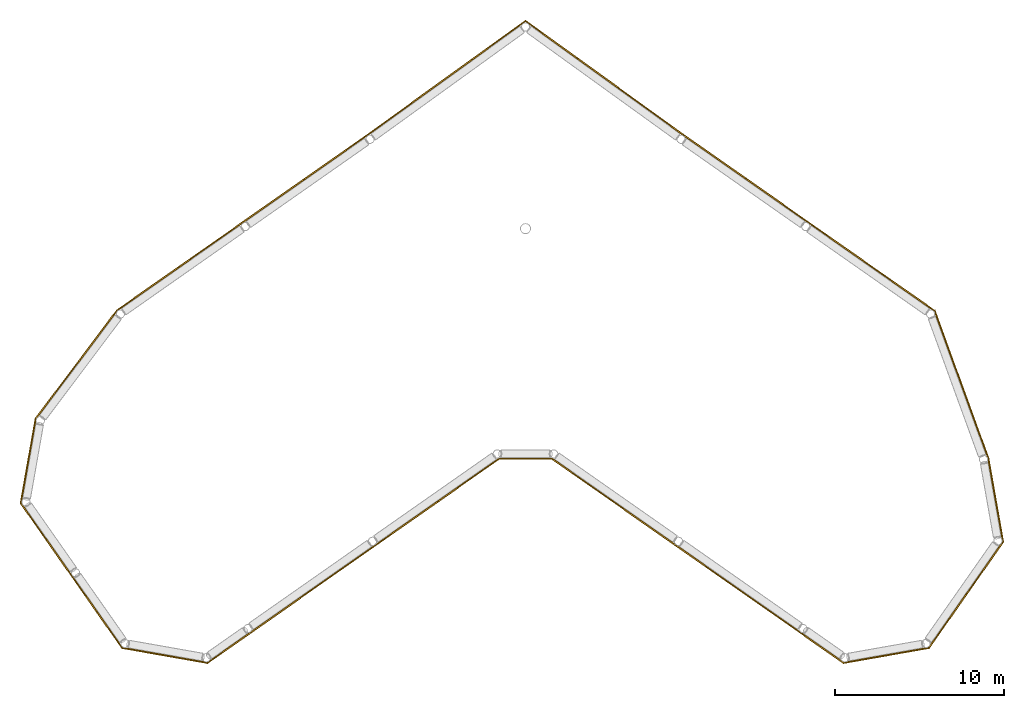
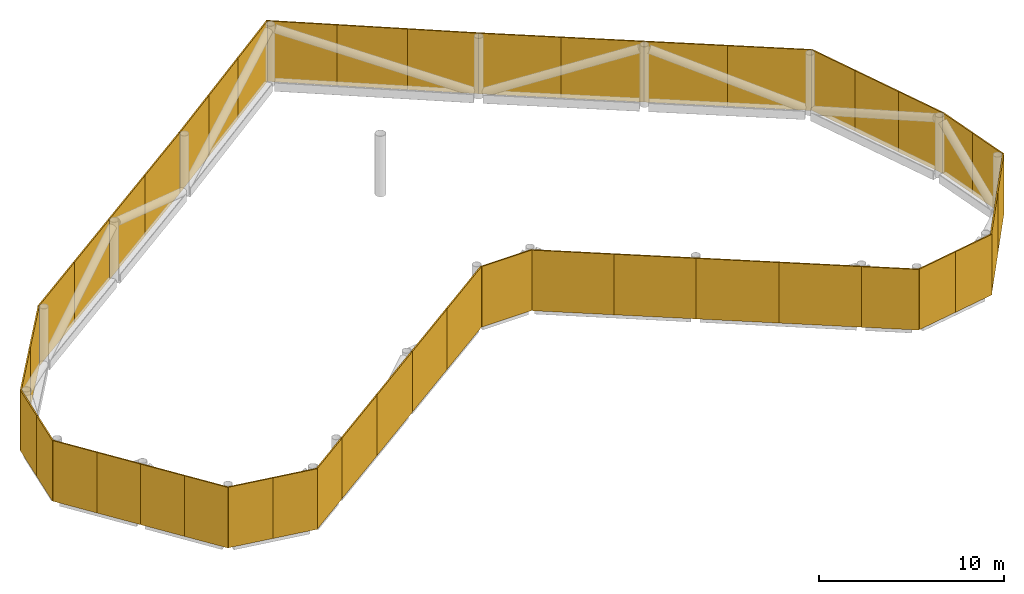
# One storey, part 4 of 4: 44 coverings.
"""IFC4 building model written with IfcOpenShell, lengths in metres."""

from ifc_helpers import new_model, si_unit, direction, frame, origin, origin_2d, place, context, subcontext, project, spatial, rectangle, extrude, material, layer, layer_set, type_object, element, save


model = new_model("IFC4")

# Units and contexts
model_context = context("Model", 3, precision=1e-05, world=origin(), true_north=direction((0.0, 1.0)))
body_context = subcontext(model_context, "Body", "Model", "MODEL_VIEW")
ifc_project = project(units=[si_unit("LENGTHUNIT", "METRE"), si_unit("AREAUNIT", "SQUARE_METRE"), si_unit("VOLUMEUNIT", "CUBIC_METRE"), si_unit("PLANEANGLEUNIT", "RADIAN"), si_unit("MASSUNIT", "GRAM", prefix="KILO")], contexts=[model_context])

# Site, building, storey
site_placement = place(None, origin())
site = spatial("IfcSite", under=ifc_project, at=site_placement, CompositionType="ELEMENT")
building_placement = place(site_placement, origin())
building = spatial("IfcBuilding", under=site, at=building_placement, Name="Tel Ilan Convention Tower", CompositionType="ELEMENT")
storey_placement = place(building_placement, frame((0.0, 0.0, 326.800048828125)))
storey = spatial("IfcBuildingStorey", under=building, at=storey_placement, Name="L77", CompositionType="ELEMENT", Elevation=326.800048828125)

# Coverings
ifc_material = material(Name="Perforated aluminium sheet, bronze anodised", Category="aluminium")
ifc_layer = layer(ifc_material, 0.080078125)
ifc_layer_set = layer_set([ifc_layer], Name="CROWN SCREEN CLADDING 80")
covering_type = type_object("IfcCoveringType", Name="CROWN SCREEN CLADDING 80", PredefinedType="CLADDING", material=ifc_layer_set)
covering_1_placement = place(storey_placement, frame((-17.488525390625, -24.74658203125, 0.0), z_axis=(0.0, 0.0, 1.0), x_axis=(0.819059611512, 0.573708421404, 0.0)))
element("IfcCovering", 1, at=covering_1_placement, inside=storey, type_object=covering_type, Name="Crown screen", PredefinedType="CLADDING", context=body_context, shape_type="SweptSolid", body=[
    extrude(rectangle(XDim=3.119873046875, YDim=0.080078125, at=origin_2d()), origin(), (0.0, 0.0, 1.0), 4.0),
])
for number, where, z_axis, x_axis, name in (
    (2, (-14.367919921875, -22.56103515625, 0.0), (0.0, 0.0, 1.0), (0.819148388269, 0.573581657653, 0.0), "Crown screen"),
    (3, (-10.681884765625, -19.980224609375, 0.0), (0.0, 0.0, 1.0), (0.819148388269, 0.573581657653, 0.0), "Crown screen"),
):
    element("IfcCovering", number, at=place(storey_placement, frame(where, z_axis=z_axis, x_axis=x_axis)), inside=storey, type_object=covering_type, Name=name, PredefinedType="CLADDING", context=body_context, shape_type="SweptSolid", body=[
        extrude(rectangle(XDim=4.499755859375, YDim=0.080078125, at=origin_2d()), origin(), (0.0, 0.0, 1.0), 4.0),
    ])
for number, where, z_axis, x_axis, name in (
    (4, (-7.014404296875, -17.412109375, 0.0), (0.0, 0.0, 1.0), (0.819184940043, 0.573529453477, 0.0), "Crown screen"),
    (5, (-3.365234375, -14.857421875, 0.0), (0.0, 0.0, 1.0), (0.819184940043, 0.573529453477, 0.0), "Crown screen"),
):
    element("IfcCovering", number, at=place(storey_placement, frame(where, z_axis=z_axis, x_axis=x_axis)), inside=storey, type_object=covering_type, Name=name, PredefinedType="CLADDING", context=body_context, shape_type="SweptSolid", body=[
        extrude(rectangle(XDim=4.45458984375, YDim=0.080078125, at=origin_2d()), origin(), (0.0, 0.0, 1.0), 4.0),
    ])
covering_2_placement = place(storey_placement, frame((0.0400390625, -13.60302734375, 0.0), z_axis=(0.0, 0.0, 1.0), x_axis=(1.0, 0.0, 0.0)))
element("IfcCovering", 6, at=covering_2_placement, inside=storey, type_object=covering_type, Name="Crown screen", PredefinedType="CLADDING", context=body_context, shape_type="SweptSolid", body=[
    extrude(rectangle(XDim=3.147216796875, YDim=0.080078125, at=origin_2d()), origin(), (0.0, 0.0, 1.0), 4.0),
])
for number, where, z_axis, x_axis, name in (
    (7, (3.430908203125, -14.9033203125, 0.0), (0.0, 0.0, 1.0), (0.819184940043, -0.573529453477, 0.0), "Crown screen"),
    (8, (7.079833984375, -17.4580078125, 0.0), (0.0, 0.0, 1.0), (0.819184940043, -0.573529453477, 0.0), "Crown screen"),
):
    element("IfcCovering", number, at=place(storey_placement, frame(where, z_axis=z_axis, x_axis=x_axis)), inside=storey, type_object=covering_type, Name=name, PredefinedType="CLADDING", context=body_context, shape_type="SweptSolid", body=[
        extrude(rectangle(XDim=4.45458984375, YDim=0.080078125, at=origin_2d()), origin(), (0.0, 0.0, 1.0), 4.0),
    ])
for number, where, z_axis, x_axis, name in (
    (9, (10.747314453125, -20.02587890625, 0.0), (0.0, 0.0, 1.0), (0.819148388269, -0.573581657653, 0.0), "Crown screen"),
    (10, (14.433349609375, -22.60693359375, 0.0), (0.0, 0.0, 1.0), (0.819148388269, -0.573581657653, 0.0), "Crown screen"),
):
    element("IfcCovering", number, at=place(storey_placement, frame(where, z_axis=z_axis, x_axis=x_axis)), inside=storey, type_object=covering_type, Name=name, PredefinedType="CLADDING", context=body_context, shape_type="SweptSolid", body=[
        extrude(rectangle(XDim=4.499755859375, YDim=0.080078125, at=origin_2d()), origin(), (0.0, 0.0, 1.0), 4.0),
    ])
covering_3_placement = place(storey_placement, frame((17.55419921875, -24.79248046875, 0.0), z_axis=(0.0, 0.0, 1.0), x_axis=(0.819059611512, -0.573708421404, 0.0)))
element("IfcCovering", 11, at=covering_3_placement, inside=storey, type_object=covering_type, Name="Crown screen", PredefinedType="CLADDING", context=body_context, shape_type="SweptSolid", body=[
    extrude(rectangle(XDim=3.119873046875, YDim=0.080078125, at=origin_2d()), origin(), (0.0, 0.0, 1.0), 4.0),
])
for number, where, z_axis, x_axis, name in (
    (12, (20.098876953125, -25.435302734375, 0.0), (0.0, 0.0, 1.0), (0.984816554197, 0.173598256268, 0.0), "Crown screen"),
    (13, (22.61962890625, -24.990966796875, 0.0), (0.0, 0.0, 1.0), (0.984816554197, 0.173598256268, 0.0), "Crown screen"),
):
    element("IfcCovering", number, at=place(storey_placement, frame(where, z_axis=z_axis, x_axis=x_axis)), inside=storey, type_object=covering_type, Name=name, PredefinedType="CLADDING", context=body_context, shape_type="SweptSolid", body=[
        extrude(rectangle(XDim=2.5595703125, YDim=0.080078125, at=origin_2d()), origin(), (0.0, 0.0, 1.0), 4.0),
    ])
for number, where, z_axis, x_axis, name in (
    (14, (24.959228515625, -23.17822265625, 0.0), (0.0, 0.0, 1.0), (0.573607436495, 0.81913033688, 0.0), "Crown screen"),
    (15, (27.150634765625, -20.048828125, 0.0), (0.0, 0.0, 1.0), (0.573607436495, 0.81913033688, 0.0), "Crown screen"),
):
    element("IfcCovering", number, at=place(storey_placement, frame(where, z_axis=z_axis, x_axis=x_axis)), inside=storey, type_object=covering_type, Name=name, PredefinedType="CLADDING", context=body_context, shape_type="SweptSolid", body=[
        extrude(rectangle(XDim=3.8203125, YDim=0.080078125, at=origin_2d()), origin(), (0.0, 0.0, 1.0), 4.0),
    ])
for number, where, z_axis, x_axis, name in (
    (16, (27.99853515625, -17.240478515625, 0.0), (0.0, 0.0, 1.0), (-0.173598256268, 0.984816554197, 0.0), "Crown screen"),
    (17, (27.562255859375, -14.766357421875, 0.0), (0.0, 0.0, 1.0), (-0.173598256268, 0.984816554197, 0.0), "Crown screen"),
):
    element("IfcCovering", number, at=place(storey_placement, frame(where, z_axis=z_axis, x_axis=x_axis)), inside=storey, type_object=covering_type, Name=name, PredefinedType="CLADDING", context=body_context, shape_type="SweptSolid", body=[
        extrude(rectangle(XDim=2.51220703125, YDim=0.080078125, at=origin_2d()), origin(), (0.0, 0.0, 1.0), 4.0),
    ])
for number, where, z_axis, x_axis, name in (
    (18, (26.80859375, -12.0791015625, 0.0), (0.0, 0.0, 1.0), (-0.342225395125, 0.939617889853, 0.0), "Crown screen"),
    (19, (25.7509765625, -9.17529296875, 0.0), (0.0, 0.0, 1.0), (-0.342225395125, 0.939617889853, 0.0), "Crown screen"),
    (20, (24.693359375, -6.271240234375, 0.0), (0.0, 0.0, 1.0), (-0.342225395125, 0.939617889853, 0.0), "Crown screen"),
):
    element("IfcCovering", number, at=place(storey_placement, frame(where, z_axis=z_axis, x_axis=x_axis)), inside=storey, type_object=covering_type, Name=name, PredefinedType="CLADDING", context=body_context, shape_type="SweptSolid", body=[
        extrude(rectangle(XDim=3.090576171875, YDim=0.080078125, at=origin_2d()), origin(), (0.0, 0.0, 1.0), 4.0),
    ])
for number, where, z_axis, x_axis, name in (
    (21, (22.28369140625, -3.530029296875, 0.0), (0.0, 0.0, 1.0), (-0.819096180436, 0.573656209934, 0.0), "Crown screen"),
    (22, (18.560302734375, -0.92236328125, 0.0), (0.0, 0.0, 1.0), (-0.819096180436, 0.573656209934, 0.0), "Crown screen"),
):
    element("IfcCovering", number, at=place(storey_placement, frame(where, z_axis=z_axis, x_axis=x_axis)), inside=storey, type_object=covering_type, Name=name, PredefinedType="CLADDING", context=body_context, shape_type="SweptSolid", body=[
        extrude(rectangle(XDim=4.545654296875, YDim=0.080078125, at=origin_2d()), origin(), (0.0, 0.0, 1.0), 4.0),
    ])
for number, where, z_axis, x_axis, name in (
    (23, (14.85595703125, 1.671630859375, 0.0), (0.0, 0.0, 1.0), (-0.819148388189, 0.573581657768, 0.0), "Crown screen"),
    (24, (11.1708984375, 4.252197265625, 0.0), (0.0, 0.0, 1.0), (-0.819148388189, 0.573581657768, 0.0), "Crown screen"),
):
    element("IfcCovering", number, at=place(storey_placement, frame(where, z_axis=z_axis, x_axis=x_axis)), inside=storey, type_object=covering_type, Name=name, PredefinedType="CLADDING", context=body_context, shape_type="SweptSolid", body=[
        extrude(rectangle(XDim=4.498779296875, YDim=0.080078125, at=origin_2d()), origin(), (0.0, 0.0, 1.0), 4.0),
    ])
for number, where, z_axis, x_axis, name in (
    (25, (7.768310546875, 6.668701171875, 0.0), (0.0, 0.0, 1.0), (-0.810862932708, 0.585236109925, 0.0), "Crown screen"),
    (26, (4.648193359375, 8.9208984375, 0.0), (0.0, 0.0, 1.0), (-0.810862932708, 0.585236109925, 0.0), "Crown screen"),
    (27, (1.52783203125, 11.173095703125, 0.0), (0.0, 0.0, 1.0), (-0.810862932708, 0.585236109925, 0.0), "Crown screen"),
    (28, (-1.592529296875, 11.126220703125, 0.0), (0.0, 0.0, 1.0), (-0.810862932708, -0.585236109925, 0.0), "Crown screen"),
    (29, (-4.712890625, 8.8740234375, 0.0), (0.0, 0.0, 1.0), (-0.810862932708, -0.585236109925, 0.0), "Crown screen"),
    (30, (-7.833251953125, 6.6220703125, 0.0), (0.0, 0.0, 1.0), (-0.810862932708, -0.585236109925, 0.0), "Crown screen"),
):
    element("IfcCovering", number, at=place(storey_placement, frame(where, z_axis=z_axis, x_axis=x_axis)), inside=storey, type_object=covering_type, Name=name, PredefinedType="CLADDING", context=body_context, shape_type="SweptSolid", body=[
        extrude(rectangle(XDim=3.84814453125, YDim=0.080078125, at=origin_2d()), origin(), (0.0, 0.0, 1.0), 4.0),
    ])
for number, where, z_axis, x_axis, name in (
    (31, (-11.236328125, 4.206298828125, 0.0), (0.0, 0.0, 1.0), (-0.819148388269, -0.573581657653, 0.0), "Crown screen"),
    (32, (-14.921630859375, 1.625732421875, 0.0), (0.0, 0.0, 1.0), (-0.819148388269, -0.573581657653, 0.0), "Crown screen"),
):
    element("IfcCovering", number, at=place(storey_placement, frame(where, z_axis=z_axis, x_axis=x_axis)), inside=storey, type_object=covering_type, Name=name, PredefinedType="CLADDING", context=body_context, shape_type="SweptSolid", body=[
        extrude(rectangle(XDim=4.498779296875, YDim=0.080078125, at=origin_2d()), origin(), (0.0, 0.0, 1.0), 4.0),
    ])
for number, where, z_axis, x_axis, name in (
    (33, (-18.616455078125, -0.961669921875, 0.0), (0.0, 0.0, 1.0), (-0.819096180516, -0.57365620982, 0.0), "Crown screen"),
    (34, (-22.321533203125, -3.556396484375, 0.0), (0.0, 0.0, 1.0), (-0.819096180516, -0.57365620982, 0.0), "Crown screen"),
):
    element("IfcCovering", number, at=place(storey_placement, frame(where, z_axis=z_axis, x_axis=x_axis)), inside=storey, type_object=covering_type, Name=name, PredefinedType="CLADDING", context=body_context, shape_type="SweptSolid", body=[
        extrude(rectangle(XDim=4.523193359375, YDim=0.080078125, at=origin_2d()), origin(), (0.0, 0.0, 1.0), 4.0),
    ])
for number, where, z_axis, x_axis, name in (
    (35, (-25.3671875, -6.462890625, 0.0), (0.0, 0.0, 1.0), (-0.600648741526, -0.799513032604, 0.0), "Crown screen"),
    (36, (-27.771484375, -9.6630859375, 0.0), (0.0, 0.0, 1.0), (-0.600648741526, -0.799513032604, 0.0), "Crown screen"),
):
    element("IfcCovering", number, at=place(storey_placement, frame(where, z_axis=z_axis, x_axis=x_axis)), inside=storey, type_object=covering_type, Name=name, PredefinedType="CLADDING", context=body_context, shape_type="SweptSolid", body=[
        extrude(rectangle(XDim=4.002685546875, YDim=0.080078125, at=origin_2d()), origin(), (0.0, 0.0, 1.0), 4.0),
    ])
for number, where, z_axis, x_axis, name in (
    (37, (-29.176513671875, -12.5185546875, 0.0), (0.0, 0.0, 1.0), (-0.173598256268, -0.984816554197, 0.0), "Crown screen"),
    (38, (-29.616455078125, -15.014404296875, 0.0), (0.0, 0.0, 1.0), (-0.173598256268, -0.984816554197, 0.0), "Crown screen"),
):
    element("IfcCovering", number, at=place(storey_placement, frame(where, z_axis=z_axis, x_axis=x_axis)), inside=storey, type_object=covering_type, Name=name, PredefinedType="CLADDING", context=body_context, shape_type="SweptSolid", body=[
        extrude(rectangle(XDim=2.5341796875, YDim=0.080078125, at=origin_2d()), origin(), (0.0, 0.0, 1.0), 4.0),
    ])
for number, where, z_axis, x_axis, name in (
    (39, (-29.05810546875, -17.32470703125, 0.0), (0.0, 0.0, 1.0), (0.573514980355, -0.819195072805, 0.0), "Crown screen"),
    (40, (-27.56103515625, -19.462890625, 0.0), (0.0, 0.0, 1.0), (0.573514980355, -0.819195072805, 0.0), "Crown screen"),
):
    element("IfcCovering", number, at=place(storey_placement, frame(where, z_axis=z_axis, x_axis=x_axis)), inside=storey, type_object=covering_type, Name=name, PredefinedType="CLADDING", context=body_context, shape_type="SweptSolid", body=[
        extrude(rectangle(XDim=2.610107421875, YDim=0.080078125, at=origin_2d()), origin(), (0.0, 0.0, 1.0), 4.0),
    ])
for number, where, z_axis, x_axis, name in (
    (41, (-26.06396484375, -21.60107421875, 0.0), (0.0, 0.0, 1.0), (0.573646538701, -0.819102953625, 0.0), "Crown screen"),
    (42, (-24.56640625, -23.739501953125, 0.0), (0.0, 0.0, 1.0), (0.573646538701, -0.819102953625, 0.0), "Crown screen"),
):
    element("IfcCovering", number, at=place(storey_placement, frame(where, z_axis=z_axis, x_axis=x_axis)), inside=storey, type_object=covering_type, Name=name, PredefinedType="CLADDING", context=body_context, shape_type="SweptSolid", body=[
        extrude(rectangle(XDim=2.6103515625, YDim=0.080078125, at=origin_2d()), origin(), (0.0, 0.0, 1.0), 4.0),
    ])
for number, where, z_axis, x_axis, name in (
    (43, (-22.540771484375, -25.0048828125, 0.0), (0.0, 0.0, 1.0), (0.984816554197, -0.173598256268, 0.0), "Crown screen"),
    (44, (-20.02001953125, -25.44921875, 0.0), (0.0, 0.0, 1.0), (0.984816554197, -0.173598256268, 0.0), "Crown screen"),
):
    element("IfcCovering", number, at=place(storey_placement, frame(where, z_axis=z_axis, x_axis=x_axis)), inside=storey, type_object=covering_type, Name=name, PredefinedType="CLADDING", context=body_context, shape_type="SweptSolid", body=[
        extrude(rectangle(XDim=2.5595703125, YDim=0.080078125, at=origin_2d()), origin(), (0.0, 0.0, 1.0), 4.0),
    ])

save(model, "model.ifc")
